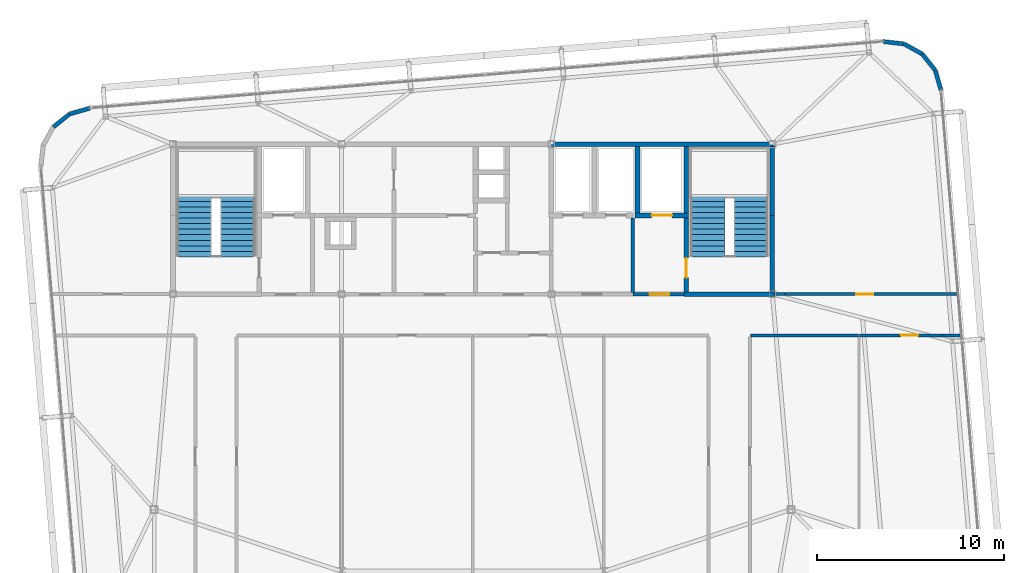
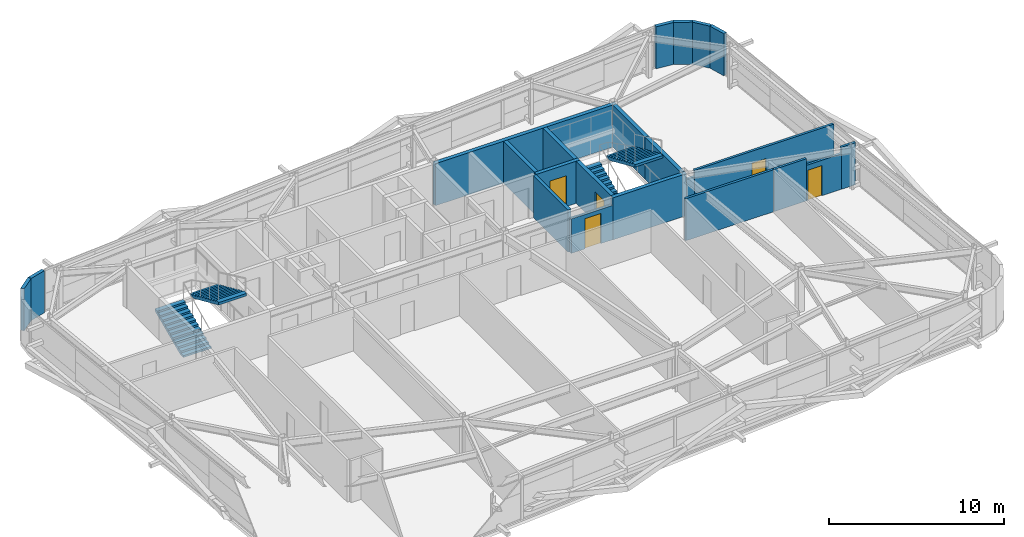
# One storey, part 37 of 39: 22 walls, 5 doors, 4 stair flights, 5 openings, 2 elements without a shape of their own.
"""IFC4 building model written with IfcOpenShell, lengths in metres."""

from ifc_helpers import new_model, si_unit, direction, frame, frame_2d, origin, place, context, subcontext, project, spatial, polyline, rectangle, outline, extrude, source, transform, mapped, material, layer, layer_set, type_object, element, fill, aggregate, save


model = new_model("IFC4")

# Units and contexts
model_context = context("Model", 3, precision=1e-05, world=origin(), true_north=direction((0.0, 1.0)))
body_context = subcontext(model_context, "Body", "Model", "MODEL_VIEW")
ifc_project = project(units=[si_unit("LENGTHUNIT", "METRE"), si_unit("AREAUNIT", "SQUARE_METRE"), si_unit("VOLUMEUNIT", "CUBIC_METRE"), si_unit("PLANEANGLEUNIT", "RADIAN"), si_unit("MASSUNIT", "GRAM", prefix="KILO")], contexts=[model_context])

# Site, building, storey
site_placement = place(None, origin())
site = spatial("IfcSite", under=ifc_project, at=site_placement, CompositionType="ELEMENT")
building_placement = place(site_placement, origin())
building = spatial("IfcBuilding", under=site, at=building_placement, Name="Taldren Reach Tower", CompositionType="ELEMENT")
storey_placement = place(building_placement, frame((0.0, 0.0, 178.85009765625)))
storey = spatial("IfcBuildingStorey", under=building, at=storey_placement, Name="L54", CompositionType="ELEMENT", Elevation=178.85009765625)

# Walls
ifc_material_1 = material(Name="Pale Champagne Anodised Aluminium Cladding", Category="aluminium")
ifc_layer_1 = layer(ifc_material_1, 0.04, Name="Pale Champagne Anodised Aluminium Cladding", Category="aluminium")
ifc_material_2 = material(Name="Mineral Wool Acoustic Insulation", Category="insulation")
ifc_layer_2 = layer(ifc_material_2, 0.06, Name="Mineral Wool Acoustic Insulation", Category="insulation")
ifc_material_3 = material(Name="Steel Gr 350 (C350L0)", Category="steel")
ifc_layer_3 = layer(ifc_material_3, 0.12, Name="Steel Gr 350 (C350L0)", Category="steel")
ifc_layer_set_1 = layer_set([ifc_layer_1, ifc_layer_2, ifc_layer_3], Name="Pale Champagne Aluminium Cladding and Steel Gr 350 Stud Framing")
wall_type_1 = type_object("IfcWallType", Name="EW-CRN-220", PredefinedType="SOLIDWALL", material=ifc_layer_set_1)
shared_shape_1 = source(origin(), body_context, "Body", "SweptSolid", [
    extrude(rectangle(XDim=1.115966796875, YDim=0.219970703125, at=frame_2d((0.55810546875, 0.0))), origin(), (0.0, 0.0, 1.0), 2.929931640625),
])
for number, where, z_axis, x_axis, name in (
    (1, (60.004150390625, 34.870361328125, 0.0), (0.0, 0.0, 1.0), (-0.276512002475, 0.961010464297, 0.0), "Rounded-corner pale-metal facade wall L54-NE1"),
    (2, (59.695556640625, 35.94287109375, 0.0), (0.0, 0.0, 1.0), (-0.623092886403, 0.782147847222, 0.0), "Rounded-corner pale-metal facade wall L54-NE2"),
    (3, (59.000244140625, 36.815673828125, 0.0), (0.0, 0.0, 1.0), (-0.875105012065, 0.483933071672, 0.0), "Rounded-corner pale-metal facade wall L54-NE3"),
    (4, (58.023681640625, 37.355712890625, 0.0), (0.0, 0.0, 1.0), (-0.993657581277, 0.112448259968, 0.0), "Rounded-corner pale-metal facade wall L54-NE4"),
    (5, (14.56396484375, 33.9248046875, 0.0), (0.0, 0.0, 1.0), (-0.961010464297, -0.276512002475, 0.0), "Rounded-corner pale-metal facade wall L54-NW1"),
):
    element("IfcWall", number, at=place(storey_placement, frame(where, z_axis=z_axis, x_axis=x_axis)), inside=storey, type_object=wall_type_1, Name=name, PredefinedType="SOLIDWALL", context=body_context, shape_type="MappedRepresentation", body=[
        mapped(shared_shape_1, transform((0.0, 0.0, 0.0), scale=1.0)),
    ])
shared_shape_2 = source(origin(), body_context, "Body", "SweptSolid", [
    extrude(rectangle(XDim=1.11572265625, YDim=0.219970703125, at=frame_2d((0.557861328125, 0.0))), origin(), (0.0, 0.0, 1.0), 2.929931640625),
])
wall_1_placement = place(storey_placement, frame((13.491455078125, 33.6162109375, 0.0), z_axis=(0.0, 0.0, 1.0), x_axis=(-0.782062884215, -0.623199522732, 0.0)))
element("IfcWall", 6, at=wall_1_placement, inside=storey, type_object=wall_type_1, Name="Rounded-corner pale-metal facade wall L54-NW2", PredefinedType="SOLIDWALL", context=body_context, shape_type="MappedRepresentation", body=[
    mapped(shared_shape_2, transform((0.0, 0.0, 0.0), scale=1.0)),
])
ifc_material_4 = material(Name="Concrete S65 (65 MPa)", Category="concrete")
ifc_layer_4 = layer(ifc_material_4, 0.25)
ifc_layer_set_2 = layer_set([ifc_layer_4], Name="Concrete S65 (65 MPa)")
wall_type_2 = type_object("IfcWallType", Name="IW-CORE-250", PredefinedType="SHEAR", material=ifc_layer_set_2)
shared_shape_3 = source(origin(), body_context, "Body", "SweptSolid", [
    extrude(rectangle(XDim=11.925048828125, YDim=0.25, at=frame_2d((5.96240234375, 0.0))), origin(), (0.0, 0.0, 1.0), 2.929931640625),
])
wall_2_placement = place(storey_placement, frame((39.199951171875, 32.0, 0.0), z_axis=(0.0, 0.0, 1.0), x_axis=(1.0, 0.0, 0.0)))
element("IfcWall", 7, at=wall_2_placement, inside=storey, type_object=wall_type_2, Name="Rear Core Shear Wall W-CORE-L54-NORTH3", PredefinedType="SHEAR", context=body_context, shape_type="MappedRepresentation", body=[
    mapped(shared_shape_3, transform((0.0, 0.0, 0.0), scale=1.0)),
])
shared_shape_4 = source(origin(), body_context, "Body", "SweptSolid", [
    extrude(rectangle(XDim=4.074951171875, YDim=0.25, at=frame_2d((2.03759765625, 0.0))), origin(), (0.0, 0.0, 1.0), 2.929931640625),
])
wall_3_placement = place(storey_placement, frame((51.0, 24.125, 0.0), z_axis=(0.0, 0.0, 1.0), x_axis=(0.0, 1.0, 0.0)))
element("IfcWall", 8, at=wall_3_placement, inside=storey, type_object=wall_type_2, Name="Rear Core Shear Wall W-CORE-L54-EAST1", PredefinedType="SHEAR", context=body_context, shape_type="MappedRepresentation", body=[
    mapped(shared_shape_4, transform((0.0, 0.0, 0.0), scale=1.0)),
])
shared_shape_5 = source(origin(), body_context, "Body", "SweptSolid", [
    extrude(rectangle(XDim=3.675048828125, YDim=0.25, at=frame_2d((1.83740234375, 0.0))), origin(), (0.0, 0.0, 1.0), 2.929931640625),
])
wall_4_placement = place(storey_placement, frame((51.0, 28.199951171875, 0.0), z_axis=(0.0, 0.0, 1.0), x_axis=(0.0, 1.0, 0.0)))
element("IfcWall", 9, at=wall_4_placement, inside=storey, type_object=wall_type_2, Name="Rear Core Shear Wall W-CORE-L54-EAST2", PredefinedType="SHEAR", context=body_context, shape_type="MappedRepresentation", body=[
    mapped(shared_shape_5, transform((0.0, 0.0, 0.0), scale=1.0)),
])
shared_shape_6 = source(origin(), body_context, "Body", "SweptSolid", [
    extrude(rectangle(XDim=3.550048828125, YDim=0.25, at=frame_2d((1.77490234375, 0.0))), origin(), (0.0, 0.0, 1.0), 2.929931640625),
])
for number, where, z_axis, x_axis, name in (
    (10, (46.39990234375, 31.875, 0.0), (0.0, 0.0, 1.0), (0.0, -1.0, 0.0), "Rear Core Shear Wall W-INT-L54-008"),
    (11, (43.800048828125, 31.875, 0.0), (0.0, 0.0, 1.0), (0.0, -1.0, 0.0), "Rear Core Shear Wall W-INT-L54-012"),
):
    element("IfcWall", number, at=place(storey_placement, frame(where, z_axis=z_axis, x_axis=x_axis)), inside=storey, type_object=wall_type_2, Name=name, PredefinedType="SHEAR", context=body_context, shape_type="MappedRepresentation", body=[
        mapped(shared_shape_6, transform((0.0, 0.0, 0.0), scale=1.0)),
    ])

# Wall, opening, door
shared_shape_7 = source(origin(), body_context, "Body", "SweptSolid", [
    extrude(rectangle(XDim=3.949951171875, YDim=0.25, at=frame_2d((1.97509765625, 0.0))), origin(), (0.0, 0.0, 1.0), 2.929931640625),
])
wall_5_placement = place(storey_placement, frame((46.39990234375, 28.074951171875, 0.0), z_axis=(0.0, 0.0, 1.0), x_axis=(0.0, -1.0, 0.0)))
wall_5 = element("IfcWall", 12, at=wall_5_placement, inside=storey, type_object=wall_type_2, Name="Rear Core Shear Wall W-INT-L54-009", PredefinedType="SHEAR", context=body_context, shape_type="MappedRepresentation", body=[
    mapped(shared_shape_7, transform((0.0, 0.0, 0.0), scale=1.0)),
])
shared_shape_8 = source(origin(), body_context, "Body", "SweptSolid", [
    extrude(rectangle(XDim=1.050048828125, YDim=2.10009765625, at=frame_2d((0.52490234375, 1.050048828125))), frame((0.0, 0.135009765625, 0.0), z_axis=(0.0, -1.0, 0.0), x_axis=(1.0, 0.0, 0.0)), (0.0, 0.0, 1.0), 0.27001953125),
])
opening_1_placement = place(wall_5_placement, frame((2.14990234375, 0.0, 0.0)))
opening_1 = element("IfcOpeningElement", 13, at=opening_1_placement, cuts=wall_5, Name="Opening DF-105", PredefinedType="OPENING", context=body_context, shape_type="MappedRepresentation", body=[
    mapped(shared_shape_8, transform((0.0, 0.0, 0.0), scale=1.0)),
])
ifc_material_5 = material(Name="Fire-Rated Care and Stair Exit Door")
door_type_1 = type_object("IfcDoorType", Name="ID-FIRE-105", OperationType="NOTDEFINED", PredefinedType="DOOR", material=ifc_material_5)
shared_shape_9 = source(origin(), body_context, "Body", "SweptSolid", [
    extrude(rectangle(XDim=1.050048828125, YDim=2.10009765625, at=frame_2d((0.52490234375, 1.050048828125))), frame((0.0, 0.02490234375, 0.0), z_axis=(0.0, -1.0, 0.0), x_axis=(1.0, 0.0, 0.0)), (0.0, 0.0, 1.0), 0.050048828125),
])
door_1_placement = place(opening_1_placement, origin())
door_1 = element("IfcDoor", 14, at=door_1_placement, inside=storey, type_object=door_type_1, Name="Fire Exit Stair Door DR-L54-003", OperationType="SINGLE_SWING_RIGHT", OverallHeight=2.10009765625, OverallWidth=1.050048828125, PredefinedType="DOOR", context=body_context, shape_type="MappedRepresentation", body=[
    mapped(shared_shape_9, transform((0.0, 0.0, 0.0), scale=1.0)),
])
fill(opening_1, door_1)

# Wall
shared_shape_10 = source(origin(), body_context, "Body", "SweptSolid", [
    extrude(rectangle(XDim=4.85009765625, YDim=0.25, at=frame_2d((2.425048828125, 0.0))), origin(), (0.0, 0.0, 1.0), 2.929931640625),
])
wall_6_placement = place(storey_placement, frame((46.27490234375, 24.0, 0.0), z_axis=(0.0, 0.0, 1.0), x_axis=(1.0, 0.0, 0.0)))
element("IfcWall", 15, at=wall_6_placement, inside=storey, type_object=wall_type_2, Name="Rear Core Shear Wall W-INT-L54-010", PredefinedType="SHEAR", context=body_context, shape_type="MappedRepresentation", body=[
    mapped(shared_shape_10, transform((0.0, 0.0, 0.0), scale=1.0)),
])

# Wall, opening, door
shared_shape_11 = source(origin(), body_context, "Body", "SweptSolid", [
    extrude(rectangle(XDim=2.849853515625, YDim=0.25, at=frame_2d((1.4248046875, 0.0))), origin(), (0.0, 0.0, 1.0), 2.929931640625),
])
wall_7_placement = place(storey_placement, frame((43.675048828125, 28.199951171875, 0.0), z_axis=(0.0, 0.0, 1.0), x_axis=(1.0, 0.0, 0.0)))
wall_7 = element("IfcWall", 16, at=wall_7_placement, inside=storey, type_object=wall_type_2, Name="Rear Core Shear Wall W-INT-L54-011", PredefinedType="SHEAR", context=body_context, shape_type="MappedRepresentation", body=[
    mapped(shared_shape_11, transform((0.0, 0.0, 0.0), scale=1.0)),
])
shared_shape_12 = source(origin(), body_context, "Body", "SweptSolid", [
    extrude(rectangle(XDim=1.10009765625, YDim=2.14990234375, at=frame_2d((0.550048828125, 1.074951171875))), frame((0.0, 0.135009765625, 0.0), z_axis=(0.0, -1.0, 0.0), x_axis=(1.0, 0.0, 0.0)), (0.0, 0.0, 1.0), 0.27001953125),
])
opening_2_placement = place(wall_7_placement, frame((0.875, 0.0, 0.0)))
opening_2 = element("IfcOpeningElement", 17, at=opening_2_placement, cuts=wall_7, Name="Opening LD-FL2", PredefinedType="OPENING", context=body_context, shape_type="MappedRepresentation", body=[
    mapped(shared_shape_12, transform((0.0, 0.0, 0.0), scale=1.0)),
])
ifc_material_6 = material(Name="Stainless Steel Gr 316 Emergency Lift Landing Door", Category="steel")
door_type_2 = type_object("IfcDoorType", Name="LD-EMG-110", OperationType="SLIDING_TO_LEFT", PredefinedType="DOOR", material=ifc_material_6)
shared_shape_13 = source(origin(), body_context, "Body", "SweptSolid", [
    extrude(rectangle(XDim=1.10009765625, YDim=2.14990234375, at=frame_2d((0.550048828125, 1.074951171875))), frame((0.0, 0.02490234375, 0.0), z_axis=(0.0, -1.0, 0.0), x_axis=(1.0, 0.0, 0.0)), (0.0, 0.0, 1.0), 0.050048828125),
])
door_2_placement = place(opening_2_placement, origin())
door_2 = element("IfcDoor", 18, at=door_2_placement, inside=storey, type_object=door_type_2, Name="Lift Landing Door LD-FL2-L54", OperationType="SLIDING_TO_LEFT", OverallHeight=2.14990234375, OverallWidth=1.10009765625, PredefinedType="DOOR", context=body_context, shape_type="MappedRepresentation", body=[
    mapped(shared_shape_13, transform((0.0, 0.0, 0.0), scale=1.0)),
])
fill(opening_2, door_2)

# Wall
ifc_material_7 = material(Name="Concrete S50 (50 MPa)", Category="concrete")
ifc_layer_5 = layer(ifc_material_7, 0.199951171875)
ifc_layer_set_3 = layer_set([ifc_layer_5], Name="Concrete S50 (50 MPa)")
wall_type_3 = type_object("IfcWallType", Name="IW-CORE-200", PredefinedType="SOLIDWALL", material=ifc_layer_set_3)
shared_shape_14 = source(origin(), body_context, "Body", "SweptSolid", [
    extrude(rectangle(XDim=3.974853515625, YDim=0.199951171875, at=frame_2d((1.9873046875, 0.0))), origin(), (0.0, 0.0, 1.0), 2.929931640625),
])
wall_8_placement = place(storey_placement, frame((43.550048828125, 28.074951171875, 0.0), z_axis=(0.0, 0.0, 1.0), x_axis=(0.0, -1.0, 0.0)))
element("IfcWall", 19, at=wall_8_placement, inside=storey, type_object=wall_type_3, Name="Rear Core Shear Wall W-INT-L54-013", PredefinedType="SOLIDWALL", context=body_context, shape_type="MappedRepresentation", body=[
    mapped(shared_shape_14, transform((0.0, 0.0, 0.0), scale=1.0)),
])

# Wall, opening, door
shared_shape_15 = source(origin(), body_context, "Body", "SweptSolid", [
    extrude(rectangle(XDim=2.724853515625, YDim=0.199951171875, at=frame_2d((1.3623046875, 0.0))), origin(), (0.0, 0.0, 1.0), 2.39697265625),
])
wall_9_placement = place(storey_placement, frame((43.550048828125, 24.0, 0.0), z_axis=(0.0, 0.0, 1.0), x_axis=(1.0, 0.0, 0.0)))
wall_9 = element("IfcWall", 20, at=wall_9_placement, inside=storey, type_object=wall_type_3, Name="Rear Core Shear Wall W-INT-L54-014", PredefinedType="SOLIDWALL", context=body_context, shape_type="MappedRepresentation", body=[
    mapped(shared_shape_15, transform((0.0, 0.0, 0.0), scale=1.0)),
])
shared_shape_16 = source(origin(), body_context, "Body", "SweptSolid", [
    extrude(rectangle(XDim=1.050048828125, YDim=2.10009765625, at=frame_2d((0.52490234375, 1.050048828125))), frame((0.0, 0.10986328125, 0.0), z_axis=(0.0, -1.0, 0.0), x_axis=(1.0, 0.0, 0.0)), (0.0, 0.0, 1.0), 0.219970703125),
])
opening_3_placement = place(wall_9_placement, frame((0.89990234375, 0.0, 0.0)))
opening_3 = element("IfcOpeningElement", 21, at=opening_3_placement, cuts=wall_9, Name="Opening DF-105", PredefinedType="OPENING", context=body_context, shape_type="MappedRepresentation", body=[
    mapped(shared_shape_16, transform((0.0, 0.0, 0.0), scale=1.0)),
])
door_3_placement = place(opening_3_placement, origin())
door_3 = element("IfcDoor", 22, at=door_3_placement, inside=storey, type_object=door_type_1, Name="Interior Door DR-L54-004", OperationType="SINGLE_SWING_LEFT", OverallHeight=2.10009765625, OverallWidth=1.050048828125, PredefinedType="DOOR", context=body_context, shape_type="MappedRepresentation", body=[
    mapped(shared_shape_9, transform((0.0, 0.0, 0.0), scale=1.0)),
])
fill(opening_3, door_3)

# Wall
ifc_material_8 = material(Name="Fire-Rated Acoustic Plasterboard Stud Wall", Category="gypsum")
ifc_layer_6 = layer(ifc_material_8, 0.159912109375)
ifc_layer_set_4 = layer_set([ifc_layer_6], Name="Fire-Rated Acoustic Plasterboard Stud Wall")
wall_type_4 = type_object("IfcWallType", Name="IW-FIRE-160", PredefinedType="PARTITIONING", material=ifc_layer_set_4)
shared_shape_17 = source(origin(), body_context, "Body", "SweptSolid", [
    extrude(rectangle(XDim=0.5556640625, YDim=0.159912109375, at=frame_2d((0.27783203125, 0.0))), origin(), (0.0, 0.0, 1.0), 2.469970703125),
])
wall_10_placement = place(storey_placement, frame((51.125, 24.0, 0.0), z_axis=(0.0, 0.0, 1.0), x_axis=(1.0, 0.0, 0.0)))
element("IfcWall", 23, at=wall_10_placement, inside=storey, type_object=wall_type_4, Name="Interior Partition Wall W-INT-L54-053", PredefinedType="PARTITIONING", context=body_context, shape_type="MappedRepresentation", body=[
    mapped(shared_shape_17, transform((0.0, 0.0, 0.0), scale=1.0)),
])

# Wall, opening, door
shared_shape_18 = source(origin(), body_context, "Body", "SweptSolid", [
    extrude(rectangle(XDim=9.15283203125, YDim=0.159912109375, at=frame_2d((4.576416015625, 0.0))), origin(), (0.0, 0.0, 1.0), 2.929931640625),
])
wall_11_placement = place(storey_placement, frame((51.6806640625, 24.0, 0.0), z_axis=(0.0, 0.0, 1.0), x_axis=(1.0, 0.0, 0.0)))
wall_11 = element("IfcWall", 24, at=wall_11_placement, inside=storey, type_object=wall_type_4, Name="Interior Partition Wall W-INT-L54-053 part 2", PredefinedType="PARTITIONING", context=body_context, shape_type="MappedRepresentation", body=[
    mapped(shared_shape_18, transform((0.0, 0.0, 0.0), scale=1.0)),
])
shared_shape_19 = source(origin(), body_context, "Body", "SweptSolid", [
    extrude(rectangle(XDim=0.919921875, YDim=2.10009765625, at=frame_2d((0.4599609375, 1.050048828125))), frame((0.0, 0.08984375, 0.0), z_axis=(0.0, -1.0, 0.0), x_axis=(1.0, 0.0, 0.0)), (0.0, 0.0, 1.0), 0.179931640625),
])
opening_4_placement = place(wall_11_placement, frame((3.7861328125, 0.0, 0.0)))
opening_4 = element("IfcOpeningElement", 25, at=opening_4_placement, cuts=wall_11, Name="Opening DI-092", PredefinedType="OPENING", context=body_context, shape_type="MappedRepresentation", body=[
    mapped(shared_shape_19, transform((0.0, 0.0, 0.0), scale=1.0)),
])
ifc_material_9 = material(Name="Solid-Core Timber Suite Door", Category="wood")
door_type_3 = type_object("IfcDoorType", Name="ID-INT-092", OperationType="NOTDEFINED", PredefinedType="DOOR", material=ifc_material_9)
shared_shape_20 = source(origin(), body_context, "Body", "SweptSolid", [
    extrude(rectangle(XDim=0.919921875, YDim=2.10009765625, at=frame_2d((0.4599609375, 1.050048828125))), frame((0.0, 0.02490234375, 0.0), z_axis=(0.0, -1.0, 0.0), x_axis=(1.0, 0.0, 0.0)), (0.0, 0.0, 1.0), 0.050048828125),
])
door_4_placement = place(opening_4_placement, origin())
door_4 = element("IfcDoor", 26, at=door_4_placement, inside=storey, type_object=door_type_3, Name="Interior Door DR-L54-017", OperationType="SINGLE_SWING_RIGHT", OverallHeight=2.10009765625, OverallWidth=0.919921875, PredefinedType="DOOR", context=body_context, shape_type="MappedRepresentation", body=[
    mapped(shared_shape_20, transform((0.0, 0.0, 0.0), scale=1.0)),
])
fill(opening_4, door_4)

# Walls
shared_shape_21 = source(origin(), body_context, "Body", "SweptSolid", [
    extrude(rectangle(XDim=0.9453125, YDim=0.159912109375, at=frame_2d((0.47265625, 0.0))), origin(), (0.0, 0.0, 1.0), 2.929931640625),
])
wall_12_placement = place(storey_placement, frame((61.004638671875, 21.800048828125, 0.0), z_axis=(0.0, 0.0, 1.0), x_axis=(-1.0, 0.0, 0.0)))
element("IfcWall", 27, at=wall_12_placement, inside=storey, type_object=wall_type_4, Name="Interior Partition Wall W-INT-L54-061", PredefinedType="PARTITIONING", context=body_context, shape_type="MappedRepresentation", body=[
    mapped(shared_shape_21, transform((0.0, 0.0, 0.0), scale=1.0)),
])
shared_shape_22 = source(origin(), body_context, "Body", "SweptSolid", [
    extrude(rectangle(XDim=5.777099609375, YDim=0.159912109375, at=frame_2d((2.888671875, 0.0))), origin(), (0.0, 0.0, 1.0), 2.929931640625),
])
wall_13_placement = place(storey_placement, frame((55.597412109375, 21.800048828125, 0.0), z_axis=(0.0, 0.0, 1.0), x_axis=(-1.0, 0.0, 0.0)))
element("IfcWall", 28, at=wall_13_placement, inside=storey, type_object=wall_type_4, Name="Interior Partition Wall W-INT-L54-059", PredefinedType="PARTITIONING", context=body_context, shape_type="MappedRepresentation", body=[
    mapped(shared_shape_22, transform((0.0, 0.0, 0.0), scale=1.0)),
])

# Wall, opening, door
shared_shape_23 = source(origin(), body_context, "Body", "SweptSolid", [
    extrude(rectangle(XDim=2.298095703125, YDim=0.159912109375, at=frame_2d((1.14892578125, 0.0))), origin(), (0.0, 0.0, 1.0), 2.469970703125),
])
wall_14_placement = place(storey_placement, frame((60.059326171875, 21.800048828125, 0.0), z_axis=(0.0, 0.0, 1.0), x_axis=(-1.0, 0.0, 0.0)))
wall_14 = element("IfcWall", 29, at=wall_14_placement, inside=storey, type_object=wall_type_4, Name="Interior Partition Wall W-INT-L54-061 part 2", PredefinedType="PARTITIONING", context=body_context, shape_type="MappedRepresentation", body=[
    mapped(shared_shape_23, transform((0.0, 0.0, 0.0), scale=1.0)),
])
opening_5_placement = place(wall_14_placement, frame((1.2783203125, 0.0, 0.0)))
opening_5 = element("IfcOpeningElement", 30, at=opening_5_placement, cuts=wall_14, Name="Opening DI-092", PredefinedType="OPENING", context=body_context, shape_type="MappedRepresentation", body=[
    mapped(shared_shape_19, transform((0.0, 0.0, 0.0), scale=1.0)),
])
door_5_placement = place(opening_5_placement, origin())
door_5 = element("IfcDoor", 31, at=door_5_placement, inside=storey, type_object=door_type_3, Name="Interior Door DR-L54-021", OperationType="SINGLE_SWING_RIGHT", OverallHeight=2.10009765625, OverallWidth=0.919921875, PredefinedType="DOOR", context=body_context, shape_type="MappedRepresentation", body=[
    mapped(shared_shape_20, transform((0.0, 0.0, 0.0), scale=1.0)),
])
fill(opening_5, door_5)

# Wall
shared_shape_24 = source(origin(), body_context, "Body", "SweptSolid", [
    extrude(rectangle(XDim=2.12353515625, YDim=0.159912109375, at=frame_2d((1.061767578125, 0.0))), origin(), (0.0, 0.0, 1.0), 2.929931640625),
])
wall_15_placement = place(storey_placement, frame((57.76123046875, 21.800048828125, 0.0), z_axis=(0.0, 0.0, 1.0), x_axis=(-1.0, 0.0, 0.0)))
element("IfcWall", 32, at=wall_15_placement, inside=storey, type_object=wall_type_4, Name="Interior Partition Wall W-INT-L54-061 part 3", PredefinedType="PARTITIONING", context=body_context, shape_type="MappedRepresentation", body=[
    mapped(shared_shape_24, transform((0.0, 0.0, 0.0), scale=1.0)),
])

# Stair, stair flights
stair_type = type_object("IfcStairType", Name="ST-HT-315", PredefinedType="HALF_TURN_STAIR", material=ifc_material_7)
stair_1_placement = place(storey_placement, origin())
stair_1 = element("IfcStair", 33, at=stair_1_placement, inside=storey, type_object=stair_type, Name="Fire-isolated exit stair ST1 L54", PredefinedType="HALF_TURN_STAIR")
stair_flight_type = type_object("IfcStairFlightType", Name="SF-STR-315", PredefinedType="STRAIGHT", material=ifc_material_7)
stair_flight_1_placement = place(storey_placement, frame((20.139892578125, 25.989990234375, 0.0), z_axis=(0.0, 0.0, 1.0), x_axis=(0.0, 1.0, 0.0)))
stair_flight_1 = element("IfcStairFlight", 34, at=stair_flight_1_placement, type_object=stair_flight_type, Name="ST1 flight 1", NumberOfRisers=12, NumberOfTreads=11, PredefinedType="STRAIGHT", RiserHeight=0.13125, TreadLength=0.295, context=body_context, shape_type="SweptSolid", body=[
    extrude(outline(polyline([(0.0, 0.0), (0.0, 0.13134765625), (0.294921875, 0.13134765625), (0.294921875, 0.262451171875), (0.590087890625, 0.262451171875), (0.590087890625, 0.393798828125), (0.885009765625, 0.393798828125), (0.885009765625, 0.52490234375), (1.179931640625, 0.52490234375), (1.179931640625, 0.65625), (1.47509765625, 0.65625), (1.47509765625, 0.78759765625), (1.77001953125, 0.78759765625), (1.77001953125, 0.918701171875), (2.06494140625, 0.918701171875), (2.06494140625, 1.050048828125), (2.360107421875, 1.050048828125), (2.360107421875, 1.18115234375), (2.655029296875, 1.18115234375), (2.655029296875, 1.3125), (2.949951171875, 1.3125), (2.949951171875, 1.44384765625), (3.2451171875, 1.44384765625), (3.2451171875, 1.574951171875), (3.2451171875, 1.268798828125), (0.393310546875, 0.0), (0.0, 0.0)])), frame((0.0, 0.919921875, 0.0), z_axis=(0.0, -1.0, 0.0), x_axis=(1.0, 0.0, 0.0)), (0.0, 0.0, 1.0), 1.840087890625),
])
stair_flight_2_placement = place(storey_placement, frame((22.4599609375, 29.235107421875, 1.574951171875), z_axis=(0.0, 0.0, 1.0), x_axis=(0.0, -1.0, 0.0)))
stair_flight_2 = element("IfcStairFlight", 35, at=stair_flight_2_placement, type_object=stair_flight_type, Name="ST1 flight 2", NumberOfRisers=12, NumberOfTreads=11, PredefinedType="STRAIGHT", RiserHeight=0.13125, TreadLength=0.295, context=body_context, shape_type="SweptSolid", body=[
    extrude(outline(polyline([(0.0, 0.0), (0.0, 0.13134765625), (0.294921875, 0.13134765625), (0.294921875, 0.262451171875), (0.590087890625, 0.262451171875), (0.590087890625, 0.393798828125), (0.885009765625, 0.393798828125), (0.885009765625, 0.52490234375), (1.179931640625, 0.52490234375), (1.179931640625, 0.65625), (1.47509765625, 0.65625), (1.47509765625, 0.78759765625), (1.77001953125, 0.78759765625), (1.77001953125, 0.918701171875), (2.06494140625, 0.918701171875), (2.06494140625, 1.050048828125), (2.360107421875, 1.050048828125), (2.360107421875, 1.18115234375), (2.655029296875, 1.18115234375), (2.655029296875, 1.3125), (2.949951171875, 1.3125), (2.949951171875, 1.44384765625), (3.2451171875, 1.44384765625), (3.2451171875, 1.574951171875), (3.2451171875, 1.268798828125), (0.393310546875, 0.0), (0.0, 0.0)])), frame((0.0, 0.919921875, 0.0), z_axis=(0.0, -1.0, 0.0), x_axis=(1.0, 0.0, 0.0)), (0.0, 0.0, 1.0), 1.840087890625),
])
aggregate(stair_1, [stair_flight_1, stair_flight_2])

stair_2_placement = place(storey_placement, origin())
stair_2 = element("IfcStair", 36, at=stair_2_placement, inside=storey, type_object=stair_type, Name="Fire-isolated exit stair ST2 L54", PredefinedType="HALF_TURN_STAIR")
stair_flight_3_placement = place(storey_placement, frame((47.5400390625, 25.989990234375, 0.0), z_axis=(0.0, 0.0, 1.0), x_axis=(0.0, 1.0, 0.0)))
stair_flight_3 = element("IfcStairFlight", 37, at=stair_flight_3_placement, type_object=stair_flight_type, Name="ST2 flight 1", NumberOfRisers=12, NumberOfTreads=11, PredefinedType="STRAIGHT", RiserHeight=0.13125, TreadLength=0.295, context=body_context, shape_type="SweptSolid", body=[
    extrude(outline(polyline([(0.0, 0.0), (0.0, 0.13134765625), (0.294921875, 0.13134765625), (0.294921875, 0.262451171875), (0.590087890625, 0.262451171875), (0.590087890625, 0.393798828125), (0.885009765625, 0.393798828125), (0.885009765625, 0.52490234375), (1.179931640625, 0.52490234375), (1.179931640625, 0.65625), (1.47509765625, 0.65625), (1.47509765625, 0.78759765625), (1.77001953125, 0.78759765625), (1.77001953125, 0.918701171875), (2.06494140625, 0.918701171875), (2.06494140625, 1.050048828125), (2.360107421875, 1.050048828125), (2.360107421875, 1.18115234375), (2.655029296875, 1.18115234375), (2.655029296875, 1.3125), (2.949951171875, 1.3125), (2.949951171875, 1.44384765625), (3.2451171875, 1.44384765625), (3.2451171875, 1.574951171875), (3.2451171875, 1.268798828125), (0.393310546875, 0.0), (0.0, 0.0)])), frame((0.0, 0.919921875, 0.0), z_axis=(0.0, -1.0, 0.0), x_axis=(1.0, 0.0, 0.0)), (0.0, 0.0, 1.0), 1.840087890625),
])
stair_flight_4_placement = place(storey_placement, frame((49.860107421875, 29.235107421875, 1.574951171875), z_axis=(0.0, 0.0, 1.0), x_axis=(0.0, -1.0, 0.0)))
stair_flight_4 = element("IfcStairFlight", 38, at=stair_flight_4_placement, type_object=stair_flight_type, Name="ST2 flight 2", NumberOfRisers=12, NumberOfTreads=11, PredefinedType="STRAIGHT", RiserHeight=0.13125, TreadLength=0.295, context=body_context, shape_type="SweptSolid", body=[
    extrude(outline(polyline([(0.0, 0.0), (0.0, 0.13134765625), (0.294921875, 0.13134765625), (0.294921875, 0.262451171875), (0.590087890625, 0.262451171875), (0.590087890625, 0.393798828125), (0.885009765625, 0.393798828125), (0.885009765625, 0.52490234375), (1.179931640625, 0.52490234375), (1.179931640625, 0.65625), (1.47509765625, 0.65625), (1.47509765625, 0.78759765625), (1.77001953125, 0.78759765625), (1.77001953125, 0.918701171875), (2.06494140625, 0.918701171875), (2.06494140625, 1.050048828125), (2.360107421875, 1.050048828125), (2.360107421875, 1.18115234375), (2.655029296875, 1.18115234375), (2.655029296875, 1.3125), (2.949951171875, 1.3125), (2.949951171875, 1.44384765625), (3.2451171875, 1.44384765625), (3.2451171875, 1.574951171875), (3.2451171875, 1.268798828125), (0.393310546875, 0.0), (0.0, 0.0)])), frame((0.0, 0.919921875, 0.0), z_axis=(0.0, -1.0, 0.0), x_axis=(1.0, 0.0, 0.0)), (0.0, 0.0, 1.0), 1.840087890625),
])
aggregate(stair_2, [stair_flight_3, stair_flight_4])

save(model, "model.ifc")
